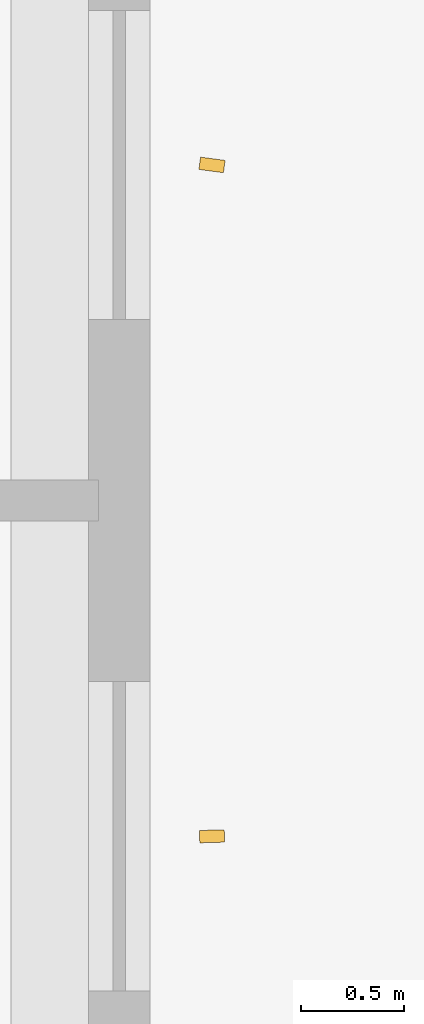
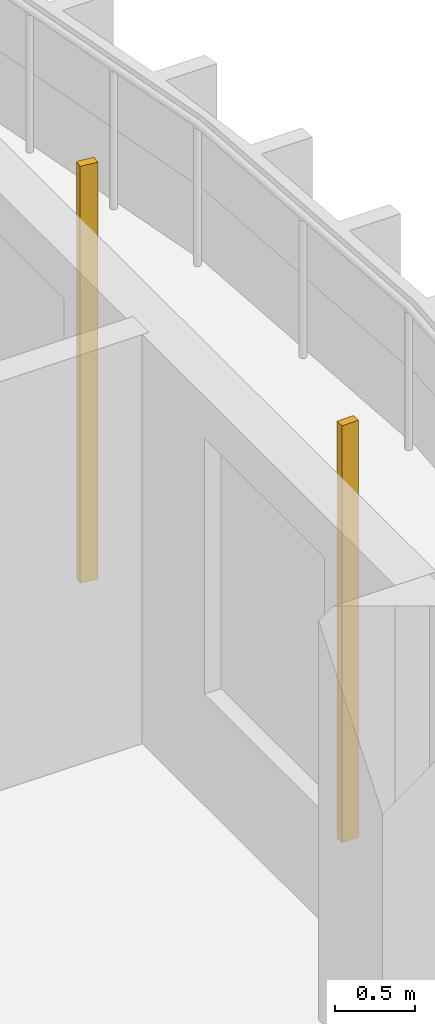
# One storey, part 18 of 22: 2 shading devices.
"""IFC4 building model written with IfcOpenShell, lengths in metres."""

import ifcopenshell
import ifcopenshell.guid

model = None  # the IFC model being written
_history = None  # IfcOwnerHistory: only IFC2X3 demands one
_inside = {}  # id of a spatial element -> (the spatial element, [elements in it])
_under = {}  # id of a project, library or spatial element -> (it, [spatial elements below it])
_declared = {}  # id of a project -> (the project, [libraries it declares])
_typed = {}  # id of a type object -> (the type object, [elements of that type])
_made_of = {}  # id of a material, layer set ... -> (it, [elements and type objects made of it])


def new_model(schema):
    """Start an empty IFC model of exactly this schema.

    Asked for "IFC4X3", IfcOpenShell would pick the latest addendum, in which some entities
    have other attributes; the version numbers below select the first issue.
    IFC2X3 requires an IfcOwnerHistory on every rooted entity: one is made here for all.
    """
    global model, _history
    if schema == "IFC4X3":
        model = ifcopenshell.file(schema_version=(4, 3, 0, 0))
    else:
        model = ifcopenshell.file(schema=schema)
    _inside.clear()
    _under.clear()
    _declared.clear()
    _typed.clear()
    _made_of.clear()
    _history = None
    if model.schema == "IFC2X3":
        org = make("IfcOrganization", Name="unknown")
        user = make(
            "IfcPersonAndOrganization",
            ThePerson=make("IfcPerson", FamilyName="unknown"),
            TheOrganization=org,
        )
        app = make(
            "IfcApplication",
            ApplicationDeveloper=org,
            Version="unknown",
            ApplicationFullName="unknown",
            ApplicationIdentifier="unknown",
        )
        _history = make(
            "IfcOwnerHistory",
            OwningUser=user,
            OwningApplication=app,
            ChangeAction="ADDED",
            CreationDate=0,
        )
    return model


def make(cls, **values):
    """One entity of the class cls with the attributes given. An attribute that is None is left unset."""
    return model.create_entity(
        cls, **{name: value for name, value in values.items() if value is not None}
    )


def rooted(cls, **values):
    """An entity with a GlobalId (a new one), such as an element, a storey or a relation."""
    return make(cls, GlobalId=ifcopenshell.guid.new(), OwnerHistory=_history, **values)


def si_unit(unit_type, name, prefix=None):
    """IfcSIUnit, for example si_unit("LENGTHUNIT", "METRE", prefix="MILLI")."""
    return make("IfcSIUnit", UnitType=unit_type, Prefix=prefix, Name=name)


def assignment(units):
    """IfcUnitAssignment: the units of a project."""
    return None if units is None else make("IfcUnitAssignment", Units=units)


def point(xyz):
    """IfcCartesianPoint."""
    return None if xyz is None else make("IfcCartesianPoint", Coordinates=xyz)


def direction(xyz):
    """IfcDirection."""
    return None if xyz is None else make("IfcDirection", DirectionRatios=xyz)


def frame(location, z_axis=None, x_axis=None):
    """IfcAxis2Placement3D, a coordinate frame: its origin and axes. An axis left out is left unset."""
    return make(
        "IfcAxis2Placement3D",
        Location=point(location),
        Axis=direction(z_axis),
        RefDirection=direction(x_axis),
    )


def frame_2d(location, x_axis=None):
    """IfcAxis2Placement2D, a coordinate frame in the plane: its origin and x axis."""
    return make(
        "IfcAxis2Placement2D", Location=point(location), RefDirection=direction(x_axis)
    )


def origin():
    """The frame at (0, 0, 0) with its axes left unset."""
    return frame((0.0, 0.0, 0.0))


def origin_2d():
    """The frame at (0, 0) in the plane with its x axis left unset."""
    return frame_2d((0.0, 0.0))


def place(relative_to, where):
    """IfcLocalPlacement: puts the frame where relative to a parent placement (None: the world)."""
    return make(
        "IfcLocalPlacement", PlacementRelTo=relative_to, RelativePlacement=where
    )


def context(
    kind, dimensions, precision=None, world=None, true_north=None, identifier=None
):
    """IfcGeometricRepresentationContext, for example the 3D "Model" context."""
    return make(
        "IfcGeometricRepresentationContext",
        ContextIdentifier=identifier,
        ContextType=kind,
        CoordinateSpaceDimension=dimensions,
        Precision=precision,
        WorldCoordinateSystem=world,
        TrueNorth=true_north,
    )


def subcontext(parent, identifier, kind, view, scale=None):
    """IfcGeometricRepresentationSubContext, for example "Body" below "Model"."""
    return make(
        "IfcGeometricRepresentationSubContext",
        ContextIdentifier=identifier,
        ContextType=kind,
        ParentContext=parent,
        TargetScale=scale,
        TargetView=view,
    )


def project(units=None, contexts=None):
    """IfcProject with its units and contexts."""
    return rooted(
        "IfcProject",
        Name="project",
        RepresentationContexts=contexts,
        UnitsInContext=assignment(units),
    )


def spatial(cls, under=None, at=None, **own):
    """A site, building, storey or space (cls), placed at a placement, below another one or the project."""
    s = rooted(cls, ObjectPlacement=at, **own)
    if under is not None:
        _under.setdefault(under.id(), (under, []))[1].append(s)
    return s


def profile(cls, at=None, kind="AREA", **sizes):
    """A parametric profile (cls). Its sizes go by their IFC names, for example OverallWidth=200.0."""
    return make(cls, ProfileType=kind, Position=at, **sizes)


def rectangle(**sizes):
    """IfcRectangleProfileDef."""
    return profile("IfcRectangleProfileDef", **sizes)


def extrude(swept, where, along, depth):
    """IfcExtrudedAreaSolid: the profile swept, set in the frame where, extruded along a direction by depth."""
    return make(
        "IfcExtrudedAreaSolid",
        SweptArea=swept,
        Position=where,
        ExtrudedDirection=direction(along),
        Depth=depth,
    )


def shape(context_of_items, identifier, shape_type, items):
    """IfcShapeRepresentation: the items that make up one representation, for example the "Body"."""
    return make(
        "IfcShapeRepresentation",
        ContextOfItems=context_of_items,
        RepresentationIdentifier=identifier,
        RepresentationType=shape_type,
        Items=items,
    )


def source(mapping_origin, context_of_items, identifier, shape_type, items):
    """IfcRepresentationMap: a shape defined once, which mapped items show again and again."""
    return make(
        "IfcRepresentationMap",
        MappingOrigin=mapping_origin,
        MappedRepresentation=shape(context_of_items, identifier, shape_type, items),
    )


def transform(
    local_origin,
    x_axis=None,
    y_axis=None,
    z_axis=None,
    scale=None,
    scale2=None,
    scale3=None,
    uniform=True,
):
    """IfcCartesianTransformationOperator3D, or its non-uniform kind. x_axis, y_axis, z_axis: its Axis1, 2, 3."""
    if uniform:
        return make(
            "IfcCartesianTransformationOperator3D",
            Axis1=direction(x_axis),
            Axis2=direction(y_axis),
            LocalOrigin=point(local_origin),
            Scale=scale,
            Axis3=direction(z_axis),
        )
    return make(
        "IfcCartesianTransformationOperator3DnonUniform",
        Axis1=direction(x_axis),
        Axis2=direction(y_axis),
        LocalOrigin=point(local_origin),
        Scale=scale,
        Axis3=direction(z_axis),
        Scale2=scale2,
        Scale3=scale3,
    )


def mapped(mapping_source, mapping_target):
    """IfcMappedItem: shows the shape of a source again, moved by a transform."""
    return make(
        "IfcMappedItem", MappingSource=mapping_source, MappingTarget=mapping_target
    )


def material(Name=None, Category=None):
    """IfcMaterial."""
    return make("IfcMaterial", Name=Name, Category=Category)


def material_profile(
    of_material, cross_section, Name=None, Category=None, Priority=None
):
    """IfcMaterialProfile: a cross section and its material."""
    return make(
        "IfcMaterialProfile",
        Name=Name,
        Material=of_material,
        Profile=cross_section,
        Priority=Priority,
        Category=Category,
    )


def profile_set(profiles, Name=None, composite=None):
    """IfcMaterialProfileSet."""
    return make(
        "IfcMaterialProfileSet",
        Name=Name,
        MaterialProfiles=profiles,
        CompositeProfile=composite,
    )


def made_of(thing, what):
    """Note that an element or type object is made of a material, layer set ...; save() writes the relation."""
    if what is not None:
        _made_of.setdefault(what.id(), (what, []))[1].append(thing)
    return thing


def type_object(cls, material=None, **own):
    """A type object (cls), such as IfcWallType, which elements share."""
    return made_of(rooted(cls, **own), material)


def element(
    cls,
    number,
    at=None,
    inside=None,
    cuts=None,
    type_object=None,
    material=None,
    context=None,
    identifier="Body",
    shape_type=None,
    held_by="IfcProductDefinitionShape",
    body=None,
    shapes=None,
    **own,
):
    """One element of the class cls, such as IfcWall. Its Tag is "e" and its number.

    at: its placement. inside: the storey or other place that contains it. cuts: it is an
    opening in that element (IfcRelVoidsElement). A single representation is given by context,
    identifier, shape_type and body (its items); several are given by shapes. held_by: the class
    of the entity that holds the representations. save() writes the other relations.
    """
    e = rooted(cls, Tag="e%d" % number, ObjectPlacement=at, **own)
    if body is not None:
        shapes = [shape(context, identifier, shape_type, body)]
    if shapes is not None:
        e.Representation = make(held_by, Representations=shapes)
    if inside is not None:
        _inside.setdefault(inside.id(), (inside, []))[1].append(e)
    if cuts is not None:
        rooted(
            "IfcRelVoidsElement", RelatingBuildingElement=cuts, RelatedOpeningElement=e
        )
    if type_object is not None:
        _typed.setdefault(type_object.id(), (type_object, []))[1].append(e)
    return made_of(e, material)


def aggregate(whole, parts):
    """IfcRelAggregates: a whole, such as a stair, and the parts it consists of."""
    return rooted("IfcRelAggregates", RelatingObject=whole, RelatedObjects=parts)


def save(model, path):
    """Write the relations noted so far, then the file.

    IfcRelAggregates (storeys below a building ...), IfcRelContainedInSpatialStructure (elements
    in a storey), IfcRelDefinesByType, IfcRelAssociatesMaterial and IfcRelDeclares: one each for
    every whole, place, type object, material and project.
    """
    for whole, parts in _under.values():
        aggregate(whole, parts)
    for where, things in _inside.values():
        rooted(
            "IfcRelContainedInSpatialStructure",
            RelatedElements=things,
            RelatingStructure=where,
        )
    for kind, things in _typed.values():
        rooted("IfcRelDefinesByType", RelatedObjects=things, RelatingType=kind)
    for what, things in _made_of.values():
        rooted("IfcRelAssociatesMaterial", RelatedObjects=things, RelatingMaterial=what)
    for by, libraries in _declared.values():
        rooted("IfcRelDeclares", RelatingContext=by, RelatedDefinitions=libraries)
    model.write(path)


model = new_model("IFC4")

# Units and contexts
model_context = context("Model", 3, precision=1e-05, world=origin(), true_north=direction((0.0, 1.0)))
body_context = subcontext(model_context, "Body", "Model", "MODEL_VIEW")
ifc_project = project(units=[si_unit("LENGTHUNIT", "METRE"), si_unit("AREAUNIT", "SQUARE_METRE"), si_unit("VOLUMEUNIT", "CUBIC_METRE"), si_unit("PLANEANGLEUNIT", "RADIAN"), si_unit("MASSUNIT", "GRAM", prefix="KILO")], contexts=[model_context])

# Site, building, storey
site_placement = place(None, origin())
site = spatial("IfcSite", under=ifc_project, at=site_placement, CompositionType="ELEMENT")
building_placement = place(site_placement, origin())
building = spatial("IfcBuilding", under=site, at=building_placement, Name="Kilnfold Tower and Market Hall", CompositionType="ELEMENT")
storey_placement = place(building_placement, frame((0.0, 0.0, 154.10009765625)))
storey = spatial("IfcBuildingStorey", under=building, at=storey_placement, Name="L35", CompositionType="ELEMENT", Elevation=154.10009765625)

# Shading devices
ifc_material = material(Name="Terracotta", Category="masonry")
ifc_material_profile = material_profile(ifc_material, rectangle(XDim=0.06005859375, YDim=0.1201171875, at=origin_2d()), Name="BAG 60x120")
ifc_profile_set = profile_set([ifc_material_profile], Name="Terracotta")
shading_device_type = type_object("IfcShadingDeviceType", Name="BAGUETTE", PredefinedType="USERDEFINED", material=ifc_profile_set)
shared_shape = source(origin(), body_context, "Body", "SweptSolid", [
    extrude(rectangle(XDim=0.06005859375, YDim=0.1201171875, at=origin_2d()), origin(), (0.0, 0.0, 1.0), 3.179931640625),
])
for number, where, z_axis, x_axis, name in (
    (1, (25.550048828125, 2.7158203125, 0.0), (0.0, 0.0, 1.0), (-0.029266737243, 0.999571637298, 0.0), "Terracotta baguette L35 E"),
    (2, (25.550048828125, 5.971923828125, 0.0), (0.0, 0.0, 1.0), (0.132124909286, 0.991233074683, 0.0), "Terracotta baguette L35 E"),
):
    element("IfcShadingDevice", number, at=place(storey_placement, frame(where, z_axis=z_axis, x_axis=x_axis)), inside=storey, type_object=shading_device_type, Name=name, ObjectType="BAGUETTE", PredefinedType="USERDEFINED", context=body_context, shape_type="MappedRepresentation", body=[
        mapped(shared_shape, transform((0.0, 0.0, 0.0))),
    ])

save(model, "model.ifc")
